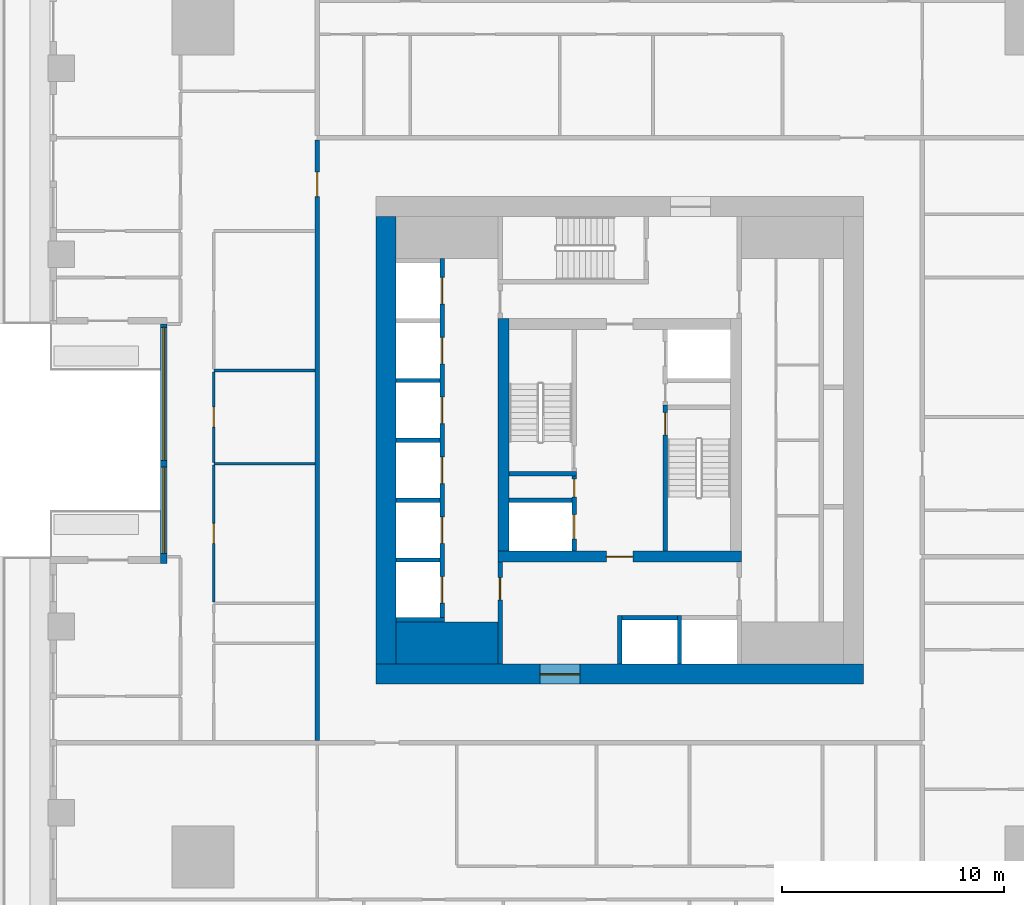
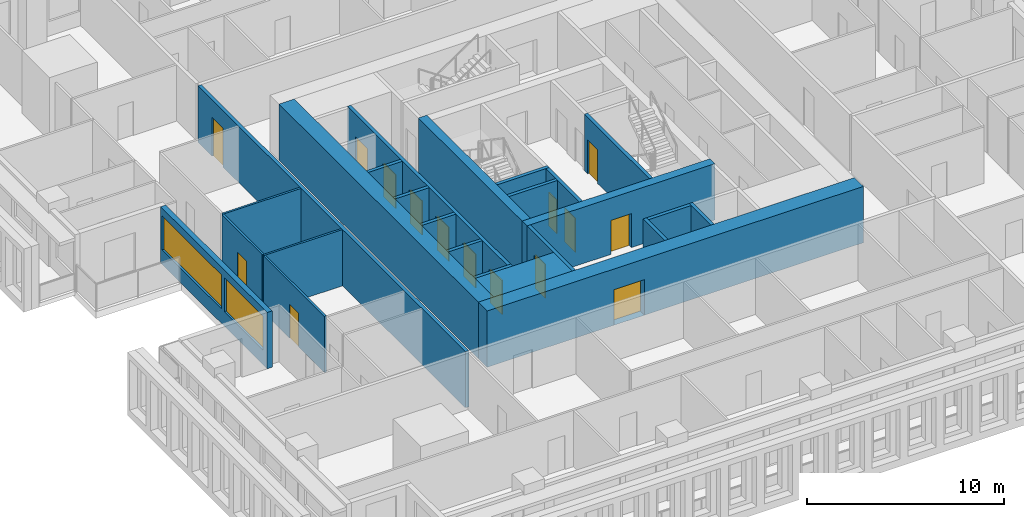
# One storey, part 3 of 14: 25 walls, 15 doors, 2 windows, 17 openings.
"""IFC4 building model written with IfcOpenShell, lengths in metres."""

from ifc_helpers import new_model, si_unit, direction, frame, frame_2d, origin, place, context, subcontext, project, spatial, rectangle, extrude, material, layer, layer_set, type_object, element, fill, save


model = new_model("IFC4")

# Units and contexts
model_context = context("Model", 3, precision=1e-05, world=origin(), true_north=direction((0.0, 1.0)))
body_context = subcontext(model_context, "Body", "Model", "MODEL_VIEW")
ifc_project = project(units=[si_unit("LENGTHUNIT", "METRE"), si_unit("AREAUNIT", "SQUARE_METRE"), si_unit("VOLUMEUNIT", "CUBIC_METRE"), si_unit("PLANEANGLEUNIT", "RADIAN"), si_unit("MASSUNIT", "GRAM", prefix="KILO")], contexts=[model_context])

# Site, building, storey
site_placement = place(None, origin())
site = spatial("IfcSite", under=ifc_project, at=site_placement, CompositionType="ELEMENT")
building_placement = place(site_placement, origin())
building = spatial("IfcBuilding", under=site, at=building_placement, Name="Khepri Terraces", CompositionType="ELEMENT")
storey_placement = place(building_placement, frame((0.0, 0.0, 87.0)))
storey = spatial("IfcBuildingStorey", under=building, at=storey_placement, Name="L20", CompositionType="ELEMENT", Elevation=87.0)

# Wall
ifc_material_1 = material(Name="Concrete C70/85", Category="concrete")
ifc_layer_1 = layer(ifc_material_1, 1.89990234375, Name="Concrete C70/85", Category="concrete")
ifc_layer_set_1 = layer_set([ifc_layer_1], Name="Concrete C70/85")
wall_type_1 = type_object("IfcWallType", Name="Core wall 1900 C70/85", PredefinedType="SHEAR", material=ifc_layer_set_1)
wall_1_placement = place(storey_placement, frame((-10.10009765625, -9.14990234375, 0.0), z_axis=(0.0, 0.0, 1.0), x_axis=(1.0, 0.0, 0.0)))
element("IfcWall", 1, at=wall_1_placement, inside=storey, type_object=wall_type_1, Name="Core wall PR01 L20", PredefinedType="SHEAR", context=body_context, shape_type="SweptSolid", body=[
    extrude(rectangle(XDim=4.60009765625, YDim=1.89990234375, at=frame_2d((2.300048828125, 0.0))), origin(), (0.0, 0.0, 1.0), 3.47998046875),
])

# Wall, opening, door
ifc_layer_2 = layer(ifc_material_1, 0.199951171875, Name="Concrete C70/85", Category="concrete")
ifc_layer_set_2 = layer_set([ifc_layer_2], Name="Concrete C70/85")
wall_type_2 = type_object("IfcWallType", Name="Core wall 200 C70/85", PredefinedType="SHEAR", material=ifc_layer_set_2)
wall_2_placement = place(storey_placement, frame((2.050048828125, -5.0, 0.0), z_axis=(0.0, 0.0, 1.0), x_axis=(0.0, 1.0, 0.0)))
wall_2 = element("IfcWall", 2, at=wall_2_placement, inside=storey, type_object=wall_type_2, Name="Core wall ST01 L20", PredefinedType="SHEAR", context=body_context, shape_type="SweptSolid", body=[
    extrude(rectangle(XDim=6.60009765625, YDim=0.199951171875, at=frame_2d((3.300048828125, 0.0))), origin(), (0.0, 0.0, 1.0), 3.47998046875),
])
opening_1_placement = place(wall_2_placement, frame((5.25, 0.0, 0.0)))
opening_1 = element("IfcOpeningElement", 3, at=opening_1_placement, cuts=wall_2, Name="Opening L20-C10", PredefinedType="OPENING", context=body_context, shape_type="SweptSolid", body=[
    extrude(rectangle(XDim=1.0, YDim=2.10009765625, at=frame_2d((0.5, 1.050048828125))), frame((0.0, 0.10986328125, 0.0), z_axis=(0.0, -1.0, 0.0), x_axis=(1.0, 0.0, 0.0)), (0.0, 0.0, 1.0), 0.219970703125),
])
ifc_material_2 = material(Name="Painted steel", Category="steel")
door_type_1 = type_object("IfcDoorType", Name="DR-CORE-STAIR-1000", OperationType="NOTDEFINED", PredefinedType="DOOR", material=ifc_material_2)
door_1_placement = place(opening_1_placement, frame((1.0, 0.0, 0.0), z_axis=(0.0, 0.0, 1.0), x_axis=(-1.0, 0.0, 0.0)))
door_1 = element("IfcDoor", 4, at=door_1_placement, inside=storey, type_object=door_type_1, Name="Stair door L20-C10", OperationType="SINGLE_SWING_LEFT", OverallHeight=2.10009765625, OverallWidth=1.0, PredefinedType="DOOR", context=body_context, shape_type="SweptSolid", body=[
    extrude(rectangle(XDim=1.0, YDim=2.10009765625, at=frame_2d((0.5, 1.050048828125))), frame((0.0, 0.02490234375, 0.0), z_axis=(0.0, -1.0, 0.0), x_axis=(1.0, 0.0, 0.0)), (0.0, 0.0, 1.0), 0.050048828125),
])
fill(opening_1, door_1)

# Walls
wall_3_placement = place(storey_placement, frame((-5.0, -1.5, 0.0), z_axis=(0.0, 0.0, 1.0), x_axis=(1.0, 0.0, 0.0)))
element("IfcWall", 5, at=wall_3_placement, inside=storey, type_object=wall_type_2, Name="Core wall ST02 L20", PredefinedType="SHEAR", context=body_context, shape_type="SweptSolid", body=[
    extrude(rectangle(XDim=3.050048828125, YDim=0.199951171875, at=frame_2d((1.52490234375, 0.0))), origin(), (0.0, 0.0, 1.0), 3.47998046875),
])
for number, where, z_axis, x_axis, name in (
    (6, (0.0, -10.10009765625, 0.0), (0.0, 0.0, 1.0), (0.0, 1.0, 0.0), "Core wall SH01 L20"),
    (7, (2.699951171875, -10.10009765625, 0.0), (0.0, 0.0, 1.0), (0.0, 1.0, 0.0), "Core wall SH02 L20"),
    (8, (-10.10009765625, -8.10009765625, 0.0), (0.0, 0.0, 1.0), (1.0, 0.0, 0.0), "Core wall SH04 L20"),
):
    element("IfcWall", number, at=place(storey_placement, frame(where, z_axis=z_axis, x_axis=x_axis)), inside=storey, type_object=wall_type_2, Name=name, PredefinedType="SHEAR", context=body_context, shape_type="SweptSolid", body=[
        extrude(rectangle(XDim=2.2001953125, YDim=0.199951171875, at=frame_2d((1.10009765625, 0.0))), origin(), (0.0, 0.0, 1.0), 3.47998046875),
    ])
wall_4_placement = place(storey_placement, frame((0.10009765625, -8.0, 0.0), z_axis=(0.0, 0.0, 1.0), x_axis=(1.0, 0.0, 0.0)))
element("IfcWall", 9, at=wall_4_placement, inside=storey, type_object=wall_type_2, Name="Core wall SH06 L20", PredefinedType="SHEAR", context=body_context, shape_type="SweptSolid", body=[
    extrude(rectangle(XDim=2.5, YDim=0.199951171875, at=frame_2d((1.25, 0.0))), origin(), (0.0, 0.0, 1.0), 3.47998046875),
])

# Wall, openings, doors
wall_5_placement = place(storey_placement, frame((-8.0, -8.0, 0.0), z_axis=(0.0, 0.0, 1.0), x_axis=(0.0, 1.0, 0.0)))
wall_5 = element("IfcWall", 10, at=wall_5_placement, inside=storey, type_object=wall_type_2, Name="Core wall SH08 L20", PredefinedType="SHEAR", context=body_context, shape_type="SweptSolid", body=[
    extrude(rectangle(XDim=16.199951171875, YDim=0.199951171875, at=frame_2d((8.10009765625, 0.0))), origin(), (0.0, 0.0, 1.0), 3.47998046875),
])
opening_2_placement = place(wall_5_placement, frame((0.64990234375, 0.0, 0.0)))
opening_2 = element("IfcOpeningElement", 11, at=opening_2_placement, cuts=wall_5, Name="Opening L20-C01", PredefinedType="OPENING", context=body_context, shape_type="SweptSolid", body=[
    extrude(rectangle(XDim=1.199951171875, YDim=2.10009765625, at=frame_2d((0.60009765625, 1.050048828125))), frame((0.0, 0.10986328125, 0.0), z_axis=(0.0, -1.0, 0.0), x_axis=(1.0, 0.0, 0.0)), (0.0, 0.0, 1.0), 0.219970703125),
])
opening_3_placement = place(wall_5_placement, frame((3.35009765625, 0.0, 0.0)))
opening_3 = element("IfcOpeningElement", 12, at=opening_3_placement, cuts=wall_5, Name="Opening L20-C02", PredefinedType="OPENING", context=body_context, shape_type="SweptSolid", body=[
    extrude(rectangle(XDim=1.199951171875, YDim=2.10009765625, at=frame_2d((0.60009765625, 1.050048828125))), frame((0.0, 0.10986328125, 0.0), z_axis=(0.0, -1.0, 0.0), x_axis=(1.0, 0.0, 0.0)), (0.0, 0.0, 1.0), 0.219970703125),
])
opening_4_placement = place(wall_5_placement, frame((6.050048828125, 0.0, 0.0)))
opening_4 = element("IfcOpeningElement", 13, at=opening_4_placement, cuts=wall_5, Name="Opening L20-C03", PredefinedType="OPENING", context=body_context, shape_type="SweptSolid", body=[
    extrude(rectangle(XDim=1.199951171875, YDim=2.10009765625, at=frame_2d((0.60009765625, 1.050048828125))), frame((0.0, 0.10986328125, 0.0), z_axis=(0.0, -1.0, 0.0), x_axis=(1.0, 0.0, 0.0)), (0.0, 0.0, 1.0), 0.219970703125),
])
opening_5_placement = place(wall_5_placement, frame((8.75, 0.0, 0.0)))
opening_5 = element("IfcOpeningElement", 14, at=opening_5_placement, cuts=wall_5, Name="Opening L20-C04", PredefinedType="OPENING", context=body_context, shape_type="SweptSolid", body=[
    extrude(rectangle(XDim=1.199951171875, YDim=2.10009765625, at=frame_2d((0.60009765625, 1.050048828125))), frame((0.0, 0.10986328125, 0.0), z_axis=(0.0, -1.0, 0.0), x_axis=(1.0, 0.0, 0.0)), (0.0, 0.0, 1.0), 0.219970703125),
])
opening_6_placement = place(wall_5_placement, frame((11.449951171875, 0.0, 0.0)))
opening_6 = element("IfcOpeningElement", 15, at=opening_6_placement, cuts=wall_5, Name="Opening L20-C05", PredefinedType="OPENING", context=body_context, shape_type="SweptSolid", body=[
    extrude(rectangle(XDim=1.199951171875, YDim=2.10009765625, at=frame_2d((0.60009765625, 1.050048828125))), frame((0.0, 0.10986328125, 0.0), z_axis=(0.0, -1.0, 0.0), x_axis=(1.0, 0.0, 0.0)), (0.0, 0.0, 1.0), 0.219970703125),
])
opening_7_placement = place(wall_5_placement, frame((14.14990234375, 0.0, 0.0)))
opening_7 = element("IfcOpeningElement", 16, at=opening_7_placement, cuts=wall_5, Name="Opening L20-C06", PredefinedType="OPENING", context=body_context, shape_type="SweptSolid", body=[
    extrude(rectangle(XDim=1.199951171875, YDim=2.10009765625, at=frame_2d((0.60009765625, 1.050048828125))), frame((0.0, 0.10986328125, 0.0), z_axis=(0.0, -1.0, 0.0), x_axis=(1.0, 0.0, 0.0)), (0.0, 0.0, 1.0), 0.219970703125),
])
ifc_material_3 = material(Name="Stainless steel 304", Category="steel")
door_type_2 = type_object("IfcDoorType", Name="DR-CORE-LANDING-1200", OperationType="NOTDEFINED", PredefinedType="DOOR", material=ifc_material_3)
door_2_placement = place(opening_2_placement, origin())
door_2 = element("IfcDoor", 17, at=door_2_placement, inside=storey, type_object=door_type_2, Name="Lift landing door L20-C01", OperationType="SLIDING_TO_LEFT", OverallHeight=2.10009765625, OverallWidth=1.199951171875, PredefinedType="DOOR", context=body_context, shape_type="SweptSolid", body=[
    extrude(rectangle(XDim=1.199951171875, YDim=2.10009765625, at=frame_2d((0.60009765625, 1.050048828125))), frame((0.0, 0.02490234375, 0.0), z_axis=(0.0, -1.0, 0.0), x_axis=(1.0, 0.0, 0.0)), (0.0, 0.0, 1.0), 0.050048828125),
])
fill(opening_2, door_2)
door_3_placement = place(opening_3_placement, origin())
door_3 = element("IfcDoor", 18, at=door_3_placement, inside=storey, type_object=door_type_2, Name="Lift landing door L20-C02", OperationType="SLIDING_TO_LEFT", OverallHeight=2.10009765625, OverallWidth=1.199951171875, PredefinedType="DOOR", context=body_context, shape_type="SweptSolid", body=[
    extrude(rectangle(XDim=1.199951171875, YDim=2.10009765625, at=frame_2d((0.60009765625, 1.050048828125))), frame((0.0, 0.02490234375, 0.0), z_axis=(0.0, -1.0, 0.0), x_axis=(1.0, 0.0, 0.0)), (0.0, 0.0, 1.0), 0.050048828125),
])
fill(opening_3, door_3)
door_4_placement = place(opening_4_placement, origin())
door_4 = element("IfcDoor", 19, at=door_4_placement, inside=storey, type_object=door_type_2, Name="Lift landing door L20-C03", OperationType="SLIDING_TO_LEFT", OverallHeight=2.10009765625, OverallWidth=1.199951171875, PredefinedType="DOOR", context=body_context, shape_type="SweptSolid", body=[
    extrude(rectangle(XDim=1.199951171875, YDim=2.10009765625, at=frame_2d((0.60009765625, 1.050048828125))), frame((0.0, 0.02490234375, 0.0), z_axis=(0.0, -1.0, 0.0), x_axis=(1.0, 0.0, 0.0)), (0.0, 0.0, 1.0), 0.050048828125),
])
fill(opening_4, door_4)
door_5_placement = place(opening_5_placement, origin())
door_5 = element("IfcDoor", 20, at=door_5_placement, inside=storey, type_object=door_type_2, Name="Lift landing door L20-C04", OperationType="SLIDING_TO_LEFT", OverallHeight=2.10009765625, OverallWidth=1.199951171875, PredefinedType="DOOR", context=body_context, shape_type="SweptSolid", body=[
    extrude(rectangle(XDim=1.199951171875, YDim=2.10009765625, at=frame_2d((0.60009765625, 1.050048828125))), frame((0.0, 0.02490234375, 0.0), z_axis=(0.0, -1.0, 0.0), x_axis=(1.0, 0.0, 0.0)), (0.0, 0.0, 1.0), 0.050048828125),
])
fill(opening_5, door_5)
door_6_placement = place(opening_6_placement, origin())
door_6 = element("IfcDoor", 21, at=door_6_placement, inside=storey, type_object=door_type_2, Name="Lift landing door L20-C05", OperationType="SLIDING_TO_LEFT", OverallHeight=2.10009765625, OverallWidth=1.199951171875, PredefinedType="DOOR", context=body_context, shape_type="SweptSolid", body=[
    extrude(rectangle(XDim=1.199951171875, YDim=2.10009765625, at=frame_2d((0.60009765625, 1.050048828125))), frame((0.0, 0.02490234375, 0.0), z_axis=(0.0, -1.0, 0.0), x_axis=(1.0, 0.0, 0.0)), (0.0, 0.0, 1.0), 0.050048828125),
])
fill(opening_6, door_6)
door_7_placement = place(opening_7_placement, origin())
door_7 = element("IfcDoor", 22, at=door_7_placement, inside=storey, type_object=door_type_2, Name="Lift landing door L20-C06", OperationType="SLIDING_TO_LEFT", OverallHeight=2.10009765625, OverallWidth=1.199951171875, PredefinedType="DOOR", context=body_context, shape_type="SweptSolid", body=[
    extrude(rectangle(XDim=1.199951171875, YDim=2.10009765625, at=frame_2d((0.60009765625, 1.050048828125))), frame((0.0, 0.02490234375, 0.0), z_axis=(0.0, -1.0, 0.0), x_axis=(1.0, 0.0, 0.0)), (0.0, 0.0, 1.0), 0.050048828125),
])
fill(opening_7, door_7)

# Wall
wall_6_placement = place(storey_placement, frame((-10.10009765625, -5.39990234375, 0.0), z_axis=(0.0, 0.0, 1.0), x_axis=(1.0, 0.0, 0.0)))
element("IfcWall", 23, at=wall_6_placement, inside=storey, type_object=wall_type_2, Name="Core wall SH09 L20", PredefinedType="SHEAR", context=body_context, shape_type="SweptSolid", body=[
    extrude(rectangle(XDim=2.0, YDim=0.199951171875, at=frame_2d((1.0, 0.0))), origin(), (0.0, 0.0, 1.0), 3.47998046875),
])

# Wall, openings, doors
wall_7_placement = place(storey_placement, frame((-2.050048828125, -5.0, 0.0), z_axis=(0.0, 0.0, 1.0), x_axis=(0.0, 1.0, 0.0)))
wall_7 = element("IfcWall", 24, at=wall_7_placement, inside=storey, type_object=wall_type_2, Name="Core wall SH10 L20", PredefinedType="SHEAR", context=body_context, shape_type="SweptSolid", body=[
    extrude(rectangle(XDim=3.39990234375, YDim=0.199951171875, at=frame_2d((1.699951171875, 0.0))), origin(), (0.0, 0.0, 1.0), 3.47998046875),
])
opening_8_placement = place(wall_7_placement, frame((0.550048828125, 0.0, 0.0)))
opening_8 = element("IfcOpeningElement", 25, at=opening_8_placement, cuts=wall_7, Name="Opening L20-C08", PredefinedType="OPENING", context=body_context, shape_type="SweptSolid", body=[
    extrude(rectangle(XDim=1.10009765625, YDim=2.10009765625, at=frame_2d((0.550048828125, 1.050048828125))), frame((0.0, 0.10986328125, 0.0), z_axis=(0.0, -1.0, 0.0), x_axis=(1.0, 0.0, 0.0)), (0.0, 0.0, 1.0), 0.219970703125),
])
opening_9_placement = place(wall_7_placement, frame((2.449951171875, 0.0, 0.0)))
opening_9 = element("IfcOpeningElement", 26, at=opening_9_placement, cuts=wall_7, Name="Opening L20-C12", PredefinedType="OPENING", context=body_context, shape_type="SweptSolid", body=[
    extrude(rectangle(XDim=0.800048828125, YDim=2.10009765625, at=frame_2d((0.39990234375, 1.050048828125))), frame((0.0, 0.10986328125, 0.0), z_axis=(0.0, -1.0, 0.0), x_axis=(1.0, 0.0, 0.0)), (0.0, 0.0, 1.0), 0.219970703125),
])
door_type_3 = type_object("IfcDoorType", Name="DR-CORE-FF-LANDING-1100", OperationType="NOTDEFINED", PredefinedType="DOOR", material=ifc_material_3)
door_8_placement = place(opening_8_placement, origin())
door_8 = element("IfcDoor", 27, at=door_8_placement, inside=storey, type_object=door_type_3, Name="Firefighting lift landing door L20-C08", OperationType="SLIDING_TO_LEFT", OverallHeight=2.10009765625, OverallWidth=1.10009765625, PredefinedType="DOOR", context=body_context, shape_type="SweptSolid", body=[
    extrude(rectangle(XDim=1.10009765625, YDim=2.10009765625, at=frame_2d((0.550048828125, 1.050048828125))), frame((0.0, 0.02490234375, 0.0), z_axis=(0.0, -1.0, 0.0), x_axis=(1.0, 0.0, 0.0)), (0.0, 0.0, 1.0), 0.050048828125),
])
fill(opening_8, door_8)
door_type_4 = type_object("IfcDoorType", Name="DR-CORE-RISER-800", OperationType="NOTDEFINED", PredefinedType="DOOR", material=ifc_material_2)
door_9_placement = place(opening_9_placement, origin())
door_9 = element("IfcDoor", 28, at=door_9_placement, inside=storey, type_object=door_type_4, Name="Riser door L20-C12", OperationType="SINGLE_SWING_RIGHT", OverallHeight=2.10009765625, OverallWidth=0.800048828125, PredefinedType="DOOR", context=body_context, shape_type="SweptSolid", body=[
    extrude(rectangle(XDim=0.800048828125, YDim=2.10009765625, at=frame_2d((0.39990234375, 1.050048828125))), frame((0.0, 0.02490234375, 0.0), z_axis=(0.0, -1.0, 0.0), x_axis=(1.0, 0.0, 0.0)), (0.0, 0.0, 1.0), 0.050048828125),
])
fill(opening_9, door_9)

# Walls
wall_8_placement = place(storey_placement, frame((-10.10009765625, -2.699951171875, 0.0), z_axis=(0.0, 0.0, 1.0), x_axis=(1.0, 0.0, 0.0)))
element("IfcWall", 29, at=wall_8_placement, inside=storey, type_object=wall_type_2, Name="Core wall SH12 L20", PredefinedType="SHEAR", context=body_context, shape_type="SweptSolid", body=[
    extrude(rectangle(XDim=2.0, YDim=0.199951171875, at=frame_2d((1.0, 0.0))), origin(), (0.0, 0.0, 1.0), 3.47998046875),
])
wall_9_placement = place(storey_placement, frame((-5.0, -2.699951171875, 0.0), z_axis=(0.0, 0.0, 1.0), x_axis=(1.0, 0.0, 0.0)))
element("IfcWall", 30, at=wall_9_placement, inside=storey, type_object=wall_type_2, Name="Core wall SH13 L20", PredefinedType="SHEAR", context=body_context, shape_type="SweptSolid", body=[
    extrude(rectangle(XDim=2.85009765625, YDim=0.199951171875, at=frame_2d((1.425048828125, 0.0))), origin(), (0.0, 0.0, 1.0), 3.47998046875),
])
for number, where, z_axis, x_axis, name in (
    (31, (-10.10009765625, 0.0, 0.0), (0.0, 0.0, 1.0), (1.0, 0.0, 0.0), "Core wall SH14 L20"),
    (32, (-10.10009765625, 2.699951171875, 0.0), (0.0, 0.0, 1.0), (1.0, 0.0, 0.0), "Core wall SH17 L20"),
):
    element("IfcWall", number, at=place(storey_placement, frame(where, z_axis=z_axis, x_axis=x_axis)), inside=storey, type_object=wall_type_2, Name=name, PredefinedType="SHEAR", context=body_context, shape_type="SweptSolid", body=[
        extrude(rectangle(XDim=2.0, YDim=0.199951171875, at=frame_2d((1.0, 0.0))), origin(), (0.0, 0.0, 1.0), 3.47998046875),
    ])

# Wall, opening, door
ifc_layer_3 = layer(ifc_material_1, 0.5, Name="Concrete C70/85", Category="concrete")
ifc_layer_set_3 = layer_set([ifc_layer_3], Name="Concrete C70/85")
wall_type_3 = type_object("IfcWallType", Name="Core wall 500 C70/85", PredefinedType="SHEAR", material=ifc_layer_set_3)
wall_10_placement = place(storey_placement, frame((-5.5, -5.25, 0.0), z_axis=(0.0, 0.0, 1.0), x_axis=(1.0, 0.0, 0.0)))
wall_10 = element("IfcWall", 33, at=wall_10_placement, inside=storey, type_object=wall_type_3, Name="Core wall BX01 L20", PredefinedType="SHEAR", context=body_context, shape_type="SweptSolid", body=[
    extrude(rectangle(XDim=11.0, YDim=0.5, at=frame_2d((5.5, 0.0))), origin(), (0.0, 0.0, 1.0), 3.47998046875),
])
opening_10_placement = place(wall_10_placement, frame((4.89990234375, 0.0, 0.0)))
opening_10 = element("IfcOpeningElement", 34, at=opening_10_placement, cuts=wall_10, Name="Opening L20-C14", PredefinedType="OPENING", context=body_context, shape_type="SweptSolid", body=[
    extrude(rectangle(XDim=1.199951171875, YDim=2.10009765625, at=frame_2d((0.60009765625, 1.050048828125))), frame((0.0, 0.260009765625, 0.0), z_axis=(0.0, -1.0, 0.0), x_axis=(1.0, 0.0, 0.0)), (0.0, 0.0, 1.0), 0.52001953125),
])
door_type_5 = type_object("IfcDoorType", Name="DR-CORE-FF-LOBBY-1200", OperationType="NOTDEFINED", PredefinedType="DOOR", material=ifc_material_2)
door_10_placement = place(opening_10_placement, origin())
door_10 = element("IfcDoor", 35, at=door_10_placement, inside=storey, type_object=door_type_5, Name="Firefighting lobby door L20-C14", OperationType="SINGLE_SWING_RIGHT", OverallHeight=2.10009765625, OverallWidth=1.199951171875, PredefinedType="DOOR", context=body_context, shape_type="SweptSolid", body=[
    extrude(rectangle(XDim=1.199951171875, YDim=2.10009765625, at=frame_2d((0.60009765625, 1.050048828125))), frame((0.0, 0.02490234375, 0.0), z_axis=(0.0, -1.0, 0.0), x_axis=(1.0, 0.0, 0.0)), (0.0, 0.0, 1.0), 0.050048828125),
])
fill(opening_10, door_10)

# Wall
wall_11_placement = place(storey_placement, frame((-5.25, -5.0, 0.0), z_axis=(0.0, 0.0, 1.0), x_axis=(0.0, 1.0, 0.0)))
element("IfcWall", 36, at=wall_11_placement, inside=storey, type_object=wall_type_3, Name="Core wall BX02 L20", PredefinedType="SHEAR", context=body_context, shape_type="SweptSolid", body=[
    extrude(rectangle(XDim=10.5, YDim=0.5, at=frame_2d((5.25, 0.0))), origin(), (0.0, 0.0, 1.0), 3.47998046875),
])

# Wall, opening, door
ifc_layer_4 = layer(ifc_material_1, 0.89990234375, Name="Concrete C70/85", Category="concrete")
ifc_layer_set_4 = layer_set([ifc_layer_4], Name="Concrete C70/85")
wall_type_4 = type_object("IfcWallType", Name="Core wall 900 C70/85", PredefinedType="SHEAR", material=ifc_layer_set_4)
wall_12_placement = place(storey_placement, frame((-11.0, -10.550048828125, 0.0), z_axis=(0.0, 0.0, 1.0), x_axis=(1.0, 0.0, 0.0)))
wall_12 = element("IfcWall", 37, at=wall_12_placement, inside=storey, type_object=wall_type_4, Name="Core wall OW-S L20", PredefinedType="SHEAR", context=body_context, shape_type="SweptSolid", body=[
    extrude(rectangle(XDim=22.0, YDim=0.89990234375, at=frame_2d((11.0, 0.0))), origin(), (0.0, 0.0, 1.0), 3.47998046875),
])
opening_11_placement = place(wall_12_placement, frame((7.39990234375, 0.0, 0.0)))
opening_11 = element("IfcOpeningElement", 38, at=opening_11_placement, cuts=wall_12, Name="Opening L20-C21", PredefinedType="OPENING", context=body_context, shape_type="SweptSolid", body=[
    extrude(rectangle(XDim=1.800048828125, YDim=2.199951171875, at=frame_2d((0.89990234375, 1.10009765625))), frame((0.0, 0.4599609375, 0.0), z_axis=(0.0, -1.0, 0.0), x_axis=(1.0, 0.0, 0.0)), (0.0, 0.0, 1.0), 0.919921875),
])
door_type_6 = type_object("IfcDoorType", Name="DR-CORE-ENTRANCE-1800", OperationType="NOTDEFINED", PredefinedType="DOOR", material=ifc_material_2)
door_11_placement = place(opening_11_placement, frame((1.800048828125, 0.0, 0.0), z_axis=(0.0, 0.0, 1.0), x_axis=(-1.0, 0.0, 0.0)))
door_11 = element("IfcDoor", 39, at=door_11_placement, inside=storey, type_object=door_type_6, Name="Core entrance door pair L20-C21", OperationType="DOUBLE_DOOR_SINGLE_SWING", OverallHeight=2.199951171875, OverallWidth=1.800048828125, PredefinedType="DOOR", context=body_context, shape_type="SweptSolid", body=[
    extrude(rectangle(XDim=1.800048828125, YDim=2.199951171875, at=frame_2d((0.89990234375, 1.10009765625))), frame((0.0, 0.02490234375, 0.0), z_axis=(0.0, -1.0, 0.0), x_axis=(1.0, 0.0, 0.0)), (0.0, 0.0, 1.0), 0.050048828125),
])
fill(opening_11, door_11)

# Wall
wall_13_placement = place(storey_placement, frame((-10.550048828125, -10.10009765625, 0.0), z_axis=(0.0, 0.0, 1.0), x_axis=(0.0, 1.0, 0.0)))
element("IfcWall", 40, at=wall_13_placement, inside=storey, type_object=wall_type_4, Name="Core wall OW-W L20", PredefinedType="SHEAR", context=body_context, shape_type="SweptSolid", body=[
    extrude(rectangle(XDim=20.2001953125, YDim=0.89990234375, at=frame_2d((10.10009765625, 0.0))), origin(), (0.0, 0.0, 1.0), 3.47998046875),
])

# Wall, opening, door
ifc_material_4 = material(Name="Fire-rated gypsum board partition")
ifc_layer_5 = layer(ifc_material_4, 0.199951171875, Name="Fire-rated gypsum board partition")
ifc_layer_set_5 = layer_set([ifc_layer_5], Name="Fire-rated gypsum board partition")
wall_type_5 = type_object("IfcWallType", Name="WL-CORE-PART-200", PredefinedType="PARTITIONING", material=ifc_layer_set_5)
wall_14_placement = place(storey_placement, frame((-5.39990234375, -10.10009765625, 0.0), z_axis=(0.0, 0.0, 1.0), x_axis=(0.0, 1.0, 0.0)))
wall_14 = element("IfcWall", 41, at=wall_14_placement, inside=storey, type_object=wall_type_5, Name="Core partition PT01 L20", PredefinedType="PARTITIONING", context=body_context, shape_type="SweptSolid", body=[
    extrude(rectangle(XDim=4.60009765625, YDim=0.199951171875, at=frame_2d((2.300048828125, 0.0))), origin(), (0.0, 0.0, 1.0), 3.47998046875),
])
opening_12_placement = place(wall_14_placement, frame((2.89990234375, 0.0, 0.0)))
opening_12 = element("IfcOpeningElement", 42, at=opening_12_placement, cuts=wall_14, Name="Opening L20-C18", PredefinedType="OPENING", context=body_context, shape_type="SweptSolid", body=[
    extrude(rectangle(XDim=1.0, YDim=2.10009765625, at=frame_2d((0.5, 1.050048828125))), frame((0.0, 0.10986328125, 0.0), z_axis=(0.0, -1.0, 0.0), x_axis=(1.0, 0.0, 0.0)), (0.0, 0.0, 1.0), 0.219970703125),
])
door_type_7 = type_object("IfcDoorType", Name="DR-CORE-LOBBY-1000", OperationType="NOTDEFINED", PredefinedType="DOOR", material=ifc_material_2)
door_12_placement = place(opening_12_placement, frame((1.0, 0.0, 0.0), z_axis=(0.0, 0.0, 1.0), x_axis=(-1.0, 0.0, 0.0)))
door_12 = element("IfcDoor", 43, at=door_12_placement, inside=storey, type_object=door_type_7, Name="Lobby door L20-C18", OperationType="SINGLE_SWING_LEFT", OverallHeight=2.10009765625, OverallWidth=1.0, PredefinedType="DOOR", context=body_context, shape_type="SweptSolid", body=[
    extrude(rectangle(XDim=1.0, YDim=2.10009765625, at=frame_2d((0.5, 1.050048828125))), frame((0.0, 0.02490234375, 0.0), z_axis=(0.0, -1.0, 0.0), x_axis=(1.0, 0.0, 0.0)), (0.0, 0.0, 1.0), 0.050048828125),
])
fill(opening_12, door_12)

ifc_material_5 = material(Name="Fire-rated gypsum plasterboard partition, mineral wool")
ifc_layer_6 = layer(ifc_material_5, 0.199951171875, Name="Fire-rated gypsum plasterboard partition, mineral wool")
ifc_layer_set_6 = layer_set([ifc_layer_6], Name="Fire-rated gypsum plasterboard partition, mineral wool")
wall_type_6 = type_object("IfcWallType", Name="WL-CORR-200", PredefinedType="PARTITIONING", material=ifc_layer_set_6)
wall_15_placement = place(storey_placement, frame((-13.64990234375, -13.550048828125, 0.0), z_axis=(0.0, 0.0, 1.0), x_axis=(0.0, 1.0, 0.0)))
wall_15 = element("IfcWall", 44, at=wall_15_placement, inside=storey, type_object=wall_type_6, Name="Partition P-024 L20", PredefinedType="PARTITIONING", context=body_context, shape_type="SweptSolid", body=[
    extrude(rectangle(XDim=27.10009765625, YDim=0.199951171875, at=frame_2d((13.550048828125, 0.0))), origin(), (0.0, 0.0, 1.0), 3.47998046875),
])
opening_13_placement = place(wall_15_placement, frame((24.550048828125, 0.0, 0.0)))
opening_13 = element("IfcOpeningElement", 45, at=opening_13_placement, cuts=wall_15, Name="Opening D1", PredefinedType="OPENING", context=body_context, shape_type="SweptSolid", body=[
    extrude(rectangle(XDim=1.10009765625, YDim=2.39990234375, at=frame_2d((0.550048828125, 1.199951171875))), frame((0.0, 0.10986328125, 0.0), z_axis=(0.0, -1.0, 0.0), x_axis=(1.0, 0.0, 0.0)), (0.0, 0.0, 1.0), 0.219970703125),
])
ifc_material_6 = material(Name="Solid-core timber door leaf, flat entrance door", Category="wood")
door_type_8 = type_object("IfcDoorType", Name="DR-ENT-1100", OperationType="NOTDEFINED", PredefinedType="DOOR", material=ifc_material_6)
door_13_placement = place(opening_13_placement, origin())
door_13 = element("IfcDoor", 46, at=door_13_placement, inside=storey, type_object=door_type_8, Name="Flat D1 entrance door", OperationType="SINGLE_SWING_RIGHT", OverallHeight=2.39990234375, OverallWidth=1.10009765625, PredefinedType="DOOR", context=body_context, shape_type="SweptSolid", body=[
    extrude(rectangle(XDim=1.10009765625, YDim=2.39990234375, at=frame_2d((0.550048828125, 1.199951171875))), frame((0.0, 0.02490234375, 0.0), z_axis=(0.0, -1.0, 0.0), x_axis=(1.0, 0.0, 0.0)), (0.0, 0.0, 1.0), 0.050048828125),
])
fill(opening_13, door_13)

# Wall, openings, windows
ifc_material_7 = material(Name="Precast concrete C50/60 warm stone", Category="masonry")
ifc_layer_7 = layer(ifc_material_7, 0.300048828125, Name="Precast concrete C50/60 warm stone", Category="masonry")
ifc_layer_set_7 = layer_set([ifc_layer_7], Name="Precast concrete C50/60 warm stone")
wall_type_7 = type_object("IfcWallType", Name="WL-EXT-PRECAST-300", PredefinedType="STANDARD", material=ifc_layer_set_7)
wall_16_placement = place(storey_placement, frame((-20.570068359375, 5.25, 0.0), z_axis=(0.0, 0.0, 1.0), x_axis=(0.0, -1.0, 0.0)))
wall_16 = element("IfcWall", 47, at=wall_16_placement, inside=storey, type_object=wall_type_7, Name="External wall L20 W", PredefinedType="STANDARD", context=body_context, shape_type="SweptSolid", body=[
    extrude(rectangle(XDim=10.800048828125, YDim=0.300048828125, at=frame_2d((5.39990234375, 0.0))), origin(), (0.0, 0.0, 1.0), 3.47998046875),
])
opening_14_placement = place(wall_16_placement, frame((0.14990234375, 0.0, 0.89990234375)))
opening_14 = element("IfcOpeningElement", 48, at=opening_14_placement, cuts=wall_16, Name="Opening W3", PredefinedType="OPENING", context=body_context, shape_type="SweptSolid", body=[
    extrude(rectangle(XDim=6.0, YDim=2.10009765625, at=frame_2d((3.0, 1.050048828125))), frame((0.0, 0.16015625, 0.0), z_axis=(0.0, -1.0, 0.0), x_axis=(1.0, 0.0, 0.0)), (0.0, 0.0, 1.0), 0.320068359375),
])
opening_15_placement = place(wall_16_placement, frame((6.449951171875, 0.0, 0.89990234375)))
opening_15 = element("IfcOpeningElement", 49, at=opening_15_placement, cuts=wall_16, Name="Opening W2", PredefinedType="OPENING", context=body_context, shape_type="SweptSolid", body=[
    extrude(rectangle(XDim=3.89990234375, YDim=2.10009765625, at=frame_2d((1.949951171875, 1.050048828125))), frame((0.0, 0.16015625, 0.0), z_axis=(0.0, -1.0, 0.0), x_axis=(1.0, 0.0, 0.0)), (0.0, 0.0, 1.0), 0.320068359375),
])
ifc_material_8 = material(Name="Clear glass", Category="glass")
window_type_1 = type_object("IfcWindowType", Name="WIN-RES-3900x2100", PartitioningType="SINGLE_PANEL", PredefinedType="WINDOW", material=ifc_material_8)
window_1_placement = place(opening_15_placement, origin())
window_1 = element("IfcWindow", 50, at=window_1_placement, inside=storey, type_object=window_type_1, Name="Window L20 W", OverallHeight=2.10009765625, OverallWidth=3.89990234375, PartitioningType="SINGLE_PANEL", PredefinedType="WINDOW", context=body_context, shape_type="SweptSolid", body=[
    extrude(rectangle(XDim=3.89990234375, YDim=2.10009765625, at=frame_2d((1.949951171875, 1.050048828125))), frame((0.0, 0.030029296875, 0.0), z_axis=(0.0, -1.0, 0.0), x_axis=(1.0, 0.0, 0.0)), (0.0, 0.0, 1.0), 0.06005859375),
])
fill(opening_15, window_1)
window_type_2 = type_object("IfcWindowType", Name="WIN-RES-6000x2100", PartitioningType="SINGLE_PANEL", PredefinedType="WINDOW", material=ifc_material_8)
window_2_placement = place(opening_14_placement, origin())
window_2 = element("IfcWindow", 51, at=window_2_placement, inside=storey, type_object=window_type_2, Name="Window L20 W", OverallHeight=2.10009765625, OverallWidth=6.0, PartitioningType="SINGLE_PANEL", PredefinedType="WINDOW", context=body_context, shape_type="SweptSolid", body=[
    extrude(rectangle(XDim=6.0, YDim=2.10009765625, at=frame_2d((3.0, 1.050048828125))), frame((0.0, 0.030029296875, 0.0), z_axis=(0.0, -1.0, 0.0), x_axis=(1.0, 0.0, 0.0)), (0.0, 0.0, 1.0), 0.06005859375),
])
fill(opening_14, window_2)

# Wall, opening, door
ifc_material_9 = material(Name="Gypsum plasterboard partition")
ifc_layer_8 = layer(ifc_material_9, 0.1201171875, Name="Gypsum plasterboard partition")
ifc_layer_set_8 = layer_set([ifc_layer_8], Name="Gypsum plasterboard partition")
wall_type_8 = type_object("IfcWallType", Name="WL-PART-120", PredefinedType="PARTITIONING", material=ifc_layer_set_8)
wall_17_placement = place(storey_placement, frame((-18.320068359375, -7.2900390625, 0.0), z_axis=(0.0, 0.0, 1.0), x_axis=(0.0, 1.0, 0.0)))
wall_17 = element("IfcWall", 52, at=wall_17_placement, inside=storey, type_object=wall_type_8, Name="Partition P-037 L20", PredefinedType="PARTITIONING", context=body_context, shape_type="SweptSolid", body=[
    extrude(rectangle(XDim=6.179931640625, YDim=0.1201171875, at=frame_2d((3.08984375, 0.0))), origin(), (0.0, 0.0, 1.0), 3.47998046875),
])
opening_16_placement = place(wall_17_placement, frame((2.639892578125, 0.0, 0.0)))
opening_16 = element("IfcOpeningElement", 53, at=opening_16_placement, cuts=wall_17, Name="Opening D3", PredefinedType="OPENING", context=body_context, shape_type="SweptSolid", body=[
    extrude(rectangle(XDim=0.89990234375, YDim=2.10009765625, at=frame_2d((0.449951171875, 1.050048828125))), frame((0.0, 0.070068359375, 0.0), z_axis=(0.0, -1.0, 0.0), x_axis=(1.0, 0.0, 0.0)), (0.0, 0.0, 1.0), 0.14013671875),
])
ifc_material_10 = material(Name="Timber door leaf", Category="wood")
door_type_9 = type_object("IfcDoorType", Name="DR-INT-900", OperationType="NOTDEFINED", PredefinedType="DOOR", material=ifc_material_10)
door_14_placement = place(opening_16_placement, frame((0.89990234375, 0.0, 0.0), z_axis=(0.0, 0.0, 1.0), x_axis=(-1.0, 0.0, 0.0)))
door_14 = element("IfcDoor", 54, at=door_14_placement, inside=storey, type_object=door_type_9, Name="Door Staff Bedroom", OperationType="SINGLE_SWING_LEFT", OverallHeight=2.10009765625, OverallWidth=0.89990234375, PredefinedType="DOOR", context=body_context, shape_type="SweptSolid", body=[
    extrude(rectangle(XDim=0.89990234375, YDim=2.10009765625, at=frame_2d((0.449951171875, 1.050048828125))), frame((0.0, 0.02490234375, 0.0), z_axis=(0.0, -1.0, 0.0), x_axis=(1.0, 0.0, 0.0)), (0.0, 0.0, 1.0), 0.050048828125),
])
fill(opening_16, door_14)

# Wall
wall_18_placement = place(storey_placement, frame((-18.320068359375, -1.050048828125, 0.0), z_axis=(0.0, 0.0, 1.0), x_axis=(1.0, 0.0, 0.0)))
element("IfcWall", 55, at=wall_18_placement, inside=storey, type_object=wall_type_8, Name="Partition P-046 L20", PredefinedType="PARTITIONING", context=body_context, shape_type="SweptSolid", body=[
    extrude(rectangle(XDim=4.570068359375, YDim=0.1201171875, at=frame_2d((2.28515625, 0.0))), origin(), (0.0, 0.0, 1.0), 3.47998046875),
])

# Wall, opening, door
wall_19_placement = place(storey_placement, frame((-18.320068359375, -0.989990234375, 0.0), z_axis=(0.0, 0.0, 1.0), x_axis=(0.0, 1.0, 0.0)))
wall_19 = element("IfcWall", 56, at=wall_19_placement, inside=storey, type_object=wall_type_8, Name="Partition P-048 L20", PredefinedType="PARTITIONING", context=body_context, shape_type="SweptSolid", body=[
    extrude(rectangle(XDim=4.080078125, YDim=0.1201171875, at=frame_2d((2.0400390625, 0.0))), origin(), (0.0, 0.0, 1.0), 3.47998046875),
])
opening_17_placement = place(wall_19_placement, frame((1.590087890625, 0.0, 0.0)))
opening_17 = element("IfcOpeningElement", 57, at=opening_17_placement, cuts=wall_19, Name="Opening D3", PredefinedType="OPENING", context=body_context, shape_type="SweptSolid", body=[
    extrude(rectangle(XDim=0.89990234375, YDim=2.10009765625, at=frame_2d((0.449951171875, 1.050048828125))), frame((0.0, 0.070068359375, 0.0), z_axis=(0.0, -1.0, 0.0), x_axis=(1.0, 0.0, 0.0)), (0.0, 0.0, 1.0), 0.14013671875),
])
door_15_placement = place(opening_17_placement, frame((0.89990234375, 0.0, 0.0), z_axis=(0.0, 0.0, 1.0), x_axis=(-1.0, 0.0, 0.0)))
door_15 = element("IfcDoor", 58, at=door_15_placement, inside=storey, type_object=door_type_9, Name="Door Service Store", OperationType="SINGLE_SWING_LEFT", OverallHeight=2.10009765625, OverallWidth=0.89990234375, PredefinedType="DOOR", context=body_context, shape_type="SweptSolid", body=[
    extrude(rectangle(XDim=0.89990234375, YDim=2.10009765625, at=frame_2d((0.449951171875, 1.050048828125))), frame((0.0, 0.02490234375, 0.0), z_axis=(0.0, -1.0, 0.0), x_axis=(1.0, 0.0, 0.0)), (0.0, 0.0, 1.0), 0.050048828125),
])
fill(opening_17, door_15)

# Wall
wall_20_placement = place(storey_placement, frame((-18.320068359375, 3.14990234375, 0.0), z_axis=(0.0, 0.0, 1.0), x_axis=(1.0, 0.0, 0.0)))
element("IfcWall", 59, at=wall_20_placement, inside=storey, type_object=wall_type_8, Name="Partition P-052 L20", PredefinedType="PARTITIONING", context=body_context, shape_type="SweptSolid", body=[
    extrude(rectangle(XDim=4.570068359375, YDim=0.1201171875, at=frame_2d((2.28515625, 0.0))), origin(), (0.0, 0.0, 1.0), 3.47998046875),
])

save(model, "model.ifc")
